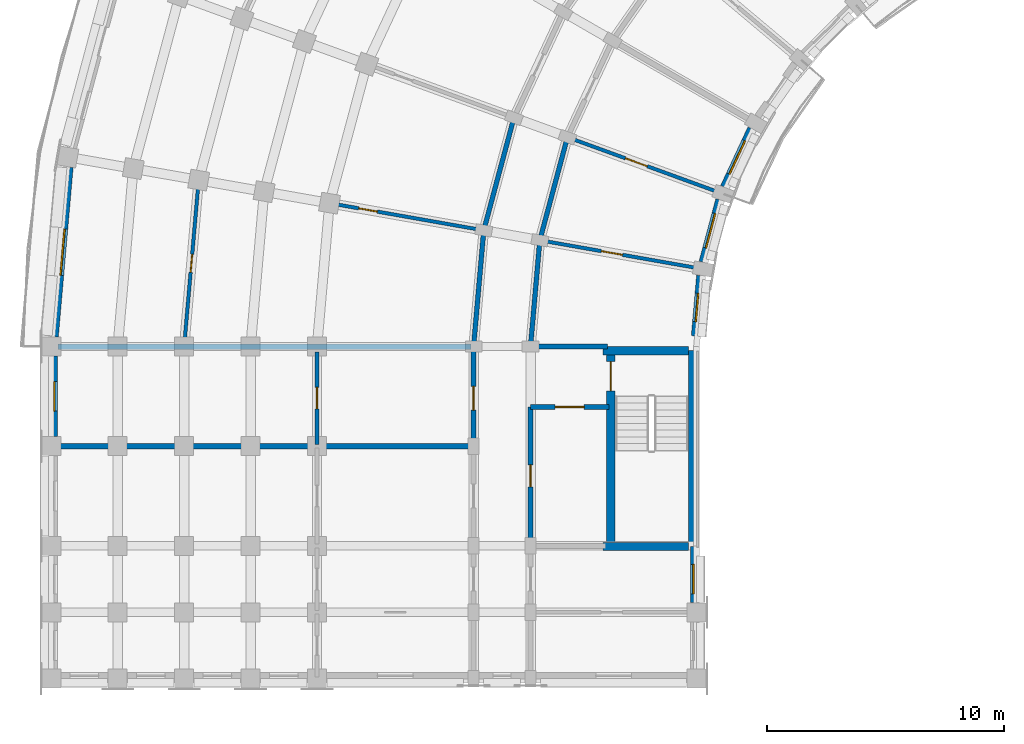
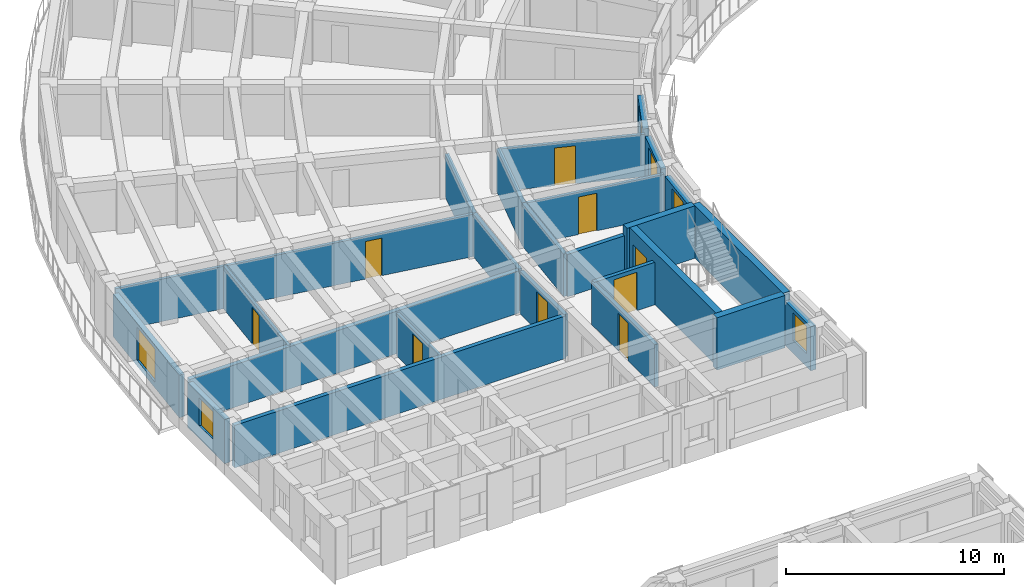
# One storey, part 23 of 54: 25 walls, 9 doors, 6 windows, 15 openings.
"""IFC4 building model written with IfcOpenShell, lengths in metres."""

from ifc_helpers import new_model, si_unit, direction, frame, frame_2d, origin, place, context, subcontext, project, spatial, rectangle, extrude, material, layer, layer_set, type_object, element, fill, save


model = new_model("IFC4")

# Units and contexts
model_context = context("Model", 3, precision=1e-05, world=origin(), true_north=direction((0.0, 1.0)))
body_context = subcontext(model_context, "Body", "Model", "MODEL_VIEW")
ifc_project = project(units=[si_unit("LENGTHUNIT", "METRE"), si_unit("AREAUNIT", "SQUARE_METRE"), si_unit("VOLUMEUNIT", "CUBIC_METRE"), si_unit("PLANEANGLEUNIT", "RADIAN"), si_unit("MASSUNIT", "GRAM", prefix="KILO")], contexts=[model_context])

# Site, building, storey
site_placement = place(None, origin())
site = spatial("IfcSite", under=ifc_project, at=site_placement, CompositionType="ELEMENT")
building_placement = place(site_placement, origin())
building = spatial("IfcBuilding", under=site, at=building_placement, Name="Kiranvali Square Residences", CompositionType="ELEMENT")
storey_placement = place(building_placement, frame((0.0, 0.0, 11.85009765625)))
storey = spatial("IfcBuildingStorey", under=building, at=storey_placement, Name="L03", CompositionType="ELEMENT", Elevation=11.85009765625)

# Wall, opening, door
ifc_material_1 = material(Name="Autoclaved aerated concrete blockwork masonry", Category="masonry")
ifc_layer_1 = layer(ifc_material_1, 0.199951171875)
ifc_layer_set_1 = layer_set([ifc_layer_1], Name="Autoclaved aerated concrete blockwork masonry")
wall_type_1 = type_object("IfcWallType", Name="WL-COR-200", PredefinedType="STANDARD", material=ifc_layer_set_1)
wall_1_placement = place(storey_placement, frame((25.699951171875, 85.25, 0.0), z_axis=(0.0, 0.0, 1.0), x_axis=(-1.0, 0.0, 0.0)))
wall_1 = element("IfcWall", 1, at=wall_1_placement, inside=storey, type_object=wall_type_1, Name="L03 architectural wall WL-L03-A-S3-V", PredefinedType="STANDARD", context=body_context, shape_type="SweptSolid", body=[
    extrude(rectangle(XDim=3.300048828125, YDim=0.199951171875, at=frame_2d((1.64990234375, 0.0))), origin(), (0.0, 0.0, 1.0), 2.371826171875),
])
opening_1_placement = place(wall_1_placement, frame((1.0400390625, 0.0, 0.0)))
opening_1 = element("IfcOpeningElement", 2, at=opening_1_placement, cuts=wall_1, Name="Opening FD-COR-60", PredefinedType="OPENING", context=body_context, shape_type="SweptSolid", body=[
    extrude(rectangle(XDim=1.219970703125, YDim=2.14990234375, at=frame_2d((0.60986328125, 1.074951171875))), frame((0.0, 0.10986328125, 0.0), z_axis=(0.0, -1.0, 0.0), x_axis=(1.0, 0.0, 0.0)), (0.0, 0.0, 1.0), 0.219970703125),
])
ifc_material_2 = material(Name="Fire-rated acoustic hardwood and mineral-core door assembly", Category="wood")
door_type_1 = type_object("IfcDoorType", Name="DR-FD60-1200", OperationType="NOTDEFINED", PredefinedType="DOOR", material=ifc_material_2)
door_1_placement = place(opening_1_placement, origin())
door_1 = element("IfcDoor", 3, at=door_1_placement, inside=storey, type_object=door_type_1, Name="L03 door DR-L03-0223 (DR-FD60-1200)", OperationType="SINGLE_SWING_LEFT", OverallHeight=2.14990234375, OverallWidth=1.219970703125, PredefinedType="DOOR", context=body_context, shape_type="SweptSolid", body=[
    extrude(rectangle(XDim=1.219970703125, YDim=2.14990234375, at=frame_2d((0.60986328125, 1.074951171875))), frame((0.0, 0.02490234375, 0.0), z_axis=(0.0, -1.0, 0.0), x_axis=(1.0, 0.0, 0.0)), (0.0, 0.0, 1.0), 0.050048828125),
])
fill(opening_1, door_1)

wall_2_placement = place(storey_placement, frame((22.39990234375, 85.25, 0.0), z_axis=(0.0, 0.0, 1.0), x_axis=(0.0, -1.0, 0.0)))
wall_2 = element("IfcWall", 4, at=wall_2_placement, inside=storey, type_object=wall_type_1, Name="L03 architectural wall WL-L03-A-S3-COR", PredefinedType="STANDARD", context=body_context, shape_type="SweptSolid", body=[
    extrude(rectangle(XDim=5.800048828125, YDim=0.199951171875, at=frame_2d((2.89990234375, 0.0))), origin(), (0.0, 0.0, 1.0), 2.371826171875),
])
opening_2_placement = place(wall_2_placement, frame((2.43994140625, 0.0, 0.0)))
opening_2 = element("IfcOpeningElement", 5, at=opening_2_placement, cuts=wall_2, Name="Opening FD-SVC-120", PredefinedType="OPENING", context=body_context, shape_type="SweptSolid", body=[
    extrude(rectangle(XDim=0.919921875, YDim=2.10009765625, at=frame_2d((0.4599609375, 1.050048828125))), frame((0.0, 0.10986328125, 0.0), z_axis=(0.0, -1.0, 0.0), x_axis=(1.0, 0.0, 0.0)), (0.0, 0.0, 1.0), 0.219970703125),
])
door_type_2 = type_object("IfcDoorType", Name="DR-SVC-900", OperationType="NOTDEFINED", PredefinedType="DOOR", material=ifc_material_2)
door_2_placement = place(opening_2_placement, frame((0.919921875, 0.0, 0.0), z_axis=(0.0, 0.0, 1.0), x_axis=(-1.0, 0.0, 0.0)))
door_2 = element("IfcDoor", 6, at=door_2_placement, inside=storey, type_object=door_type_2, Name="L03 door DR-L03-0224 (DR-SVC-900)", OperationType="SINGLE_SWING_RIGHT", OverallHeight=2.10009765625, OverallWidth=0.919921875, PredefinedType="DOOR", context=body_context, shape_type="SweptSolid", body=[
    extrude(rectangle(XDim=0.919921875, YDim=2.10009765625, at=frame_2d((0.4599609375, 1.050048828125))), frame((0.0, 0.02490234375, 0.0), z_axis=(0.0, -1.0, 0.0), x_axis=(1.0, 0.0, 0.0)), (0.0, 0.0, 1.0), 0.050048828125),
])
fill(opening_2, door_2)

# Walls
wall_3_placement = place(storey_placement, frame((23.955810546875, 96.6240234375, 0.0), z_axis=(0.0, 0.0, 1.0), x_axis=(-0.258787642463, -0.965934240054, 0.0)))
element("IfcWall", 7, at=wall_3_placement, inside=storey, type_object=wall_type_1, Name="L03 architectural wall WL-L03-A-CCI-7", PredefinedType="STANDARD", context=body_context, shape_type="SweptSolid", body=[
    extrude(rectangle(XDim=4.497314453125, YDim=0.199951171875, at=frame_2d((2.24853515625, 0.0))), origin(), (0.0, 0.0, 1.0), 2.371826171875),
])
wall_4_placement = place(storey_placement, frame((21.70068359375, 97.445068359375, 0.0), z_axis=(0.0, 0.0, 1.0), x_axis=(-0.258803112091, -0.965930095386, 0.0)))
element("IfcWall", 8, at=wall_4_placement, inside=storey, type_object=wall_type_1, Name="L03 architectural wall WL-L03-A-CCO-7", PredefinedType="STANDARD", context=body_context, shape_type="SweptSolid", body=[
    extrude(rectangle(XDim=4.915771484375, YDim=0.199951171875, at=frame_2d((2.4580078125, 0.0))), origin(), (0.0, 0.0, 1.0), 2.371826171875),
])
wall_5_placement = place(storey_placement, frame((22.7919921875, 92.280029296875, 0.0), z_axis=(0.0, 0.0, 1.0), x_axis=(-0.087187153726, -0.996191949488, 0.0)))
element("IfcWall", 9, at=wall_5_placement, inside=storey, type_object=wall_type_1, Name="L03 architectural wall WL-L03-A-CCI-8", PredefinedType="STANDARD", context=body_context, shape_type="SweptSolid", body=[
    extrude(rectangle(XDim=4.4970703125, YDim=0.199951171875, at=frame_2d((2.24853515625, 0.0))), origin(), (0.0, 0.0, 1.0), 2.371826171875),
])
wall_6_placement = place(storey_placement, frame((20.428466796875, 92.69677734375, 0.0), z_axis=(0.0, 0.0, 1.0), x_axis=(-0.087167566415, -0.996193663584, 0.0)))
element("IfcWall", 10, at=wall_6_placement, inside=storey, type_object=wall_type_1, Name="L03 architectural wall WL-L03-A-CCO-8", PredefinedType="STANDARD", context=body_context, shape_type="SweptSolid", body=[
    extrude(rectangle(XDim=4.91552734375, YDim=0.199951171875, at=frame_2d((2.457763671875, 0.0))), origin(), (0.0, 0.0, 1.0), 2.371826171875),
])

# Wall, opening, door
wall_7_placement = place(storey_placement, frame((20.0, 87.64990234375, 0.0), z_axis=(0.0, 0.0, 1.0), x_axis=(0.0, -1.0, 0.0)))
wall_7 = element("IfcWall", 11, at=wall_7_placement, inside=storey, type_object=wall_type_1, Name="L03 architectural wall WL-L03-A-A2CF-C0", PredefinedType="STANDARD", context=body_context, shape_type="SweptSolid", body=[
    extrude(rectangle(XDim=4.0498046875, YDim=0.199951171875, at=frame_2d((2.02490234375, 0.0))), origin(), (0.0, 0.0, 1.0), 2.371826171875),
])
opening_3_placement = place(wall_7_placement, frame((1.52490234375, 0.0, 0.0)))
opening_3 = element("IfcOpeningElement", 12, at=opening_3_placement, cuts=wall_7, Name="Opening FD-APT-60", PredefinedType="OPENING", context=body_context, shape_type="SweptSolid", body=[
    extrude(rectangle(XDim=1.0, YDim=2.14990234375, at=frame_2d((0.5, 1.074951171875))), frame((0.0, 0.10986328125, 0.0), z_axis=(0.0, -1.0, 0.0), x_axis=(1.0, 0.0, 0.0)), (0.0, 0.0, 1.0), 0.219970703125),
])
door_type_3 = type_object("IfcDoorType", Name="DR-APT-1000", OperationType="NOTDEFINED", PredefinedType="DOOR", material=ifc_material_2)
door_3_placement = place(opening_3_placement, origin())
door_3 = element("IfcDoor", 13, at=door_3_placement, inside=storey, type_object=door_type_3, Name="L03 door DR-L03-0265 (DR-APT-1000)", OperationType="SINGLE_SWING_LEFT", OverallHeight=2.14990234375, OverallWidth=1.0, PredefinedType="DOOR", context=body_context, shape_type="SweptSolid", body=[
    extrude(rectangle(XDim=1.0, YDim=2.14990234375, at=frame_2d((0.5, 1.074951171875))), frame((0.0, 0.02490234375, 0.0), z_axis=(0.0, -1.0, 0.0), x_axis=(1.0, 0.0, 0.0)), (0.0, 0.0, 1.0), 0.050048828125),
])
fill(opening_3, door_3)

# Walls
ifc_layer_2 = layer(ifc_material_1, 0.219970703125)
ifc_layer_set_2 = layer_set([ifc_layer_2], Name="Autoclaved aerated concrete blockwork masonry")
wall_type_2 = type_object("IfcWallType", Name="WL-DEM-220", PredefinedType="STANDARD", material=ifc_layer_set_2)
wall_8_placement = place(storey_placement, frame((25.64990234375, 87.800048828125, 0.0), z_axis=(0.0, 0.0, 1.0), x_axis=(-1.0, 0.0, 0.0)))
element("IfcWall", 14, at=wall_8_placement, inside=storey, type_object=wall_type_2, Name="L03 architectural wall WL-L03-A-RADI-9", PredefinedType="STANDARD", context=body_context, shape_type="SweptSolid", body=[
    extrude(rectangle(XDim=3.199951171875, YDim=0.219970703125, at=frame_2d((1.60009765625, 0.0))), origin(), (0.0, 0.0, 1.0), 2.371826171875),
])
wall_9_placement = place(storey_placement, frame((19.949951171875, 83.60009765625, 0.0), z_axis=(0.0, 0.0, 1.0), x_axis=(-1.0, 0.0, 0.0)))
element("IfcWall", 15, at=wall_9_placement, inside=storey, type_object=wall_type_2, Name="L03 architectural wall WL-L03-A-A2CF-MID", PredefinedType="STANDARD", context=body_context, shape_type="SweptSolid", body=[
    extrude(rectangle(XDim=17.530029296875, YDim=0.219970703125, at=frame_2d((8.76513671875, 0.0))), origin(), (0.0, 0.0, 1.0), 2.371826171875),
])
ifc_layer_3 = layer(ifc_material_1, 0.22998046875)
ifc_layer_set_3 = layer_set([ifc_layer_3], Name="Autoclaved aerated concrete blockwork masonry")
wall_type_3 = type_object("IfcWallType", Name="WL-DEM-230", PredefinedType="STANDARD", material=ifc_layer_set_3)
wall_10_placement = place(storey_placement, frame((19.89990234375, 87.800048828125, 0.0), z_axis=(0.0, 0.0, 1.0), x_axis=(-1.0, 0.0, 0.0)))
element("IfcWall", 16, at=wall_10_placement, inside=storey, type_object=wall_type_3, Name="L03 architectural wall WL-L03-A-RADO-9", PredefinedType="STANDARD", context=body_context, shape_type="SweptSolid", body=[
    extrude(rectangle(XDim=17.419921875, YDim=0.22998046875, at=frame_2d((8.7099609375, 0.0))), origin(), (0.0, 0.0, 1.0), 2.371826171875),
])

# Wall, opening, window
ifc_material_3 = material(Name="Breathable lime-rendered clay brick masonry", Category="masonry")
ifc_layer_4 = layer(ifc_material_3, 0.27490234375)
ifc_layer_set_4 = layer_set([ifc_layer_4], Name="Breathable lime-rendered clay brick masonry")
wall_type_4 = type_object("IfcWallType", Name="WL-EXT-275", PredefinedType="STANDARD", material=ifc_layer_set_4)
wall_11_placement = place(storey_placement, frame((2.986083984375, 95.351318359375, 0.0), z_axis=(0.0, 0.0, 1.0), x_axis=(-0.08713989423, -0.99619608453, 0.0)))
wall_11 = element("IfcWall", 17, at=wall_11_placement, inside=storey, type_object=wall_type_4, Name="L03 exterior wall A-L03-CRV-08", PredefinedType="STANDARD", context=body_context, shape_type="SweptSolid", body=[
    extrude(rectangle(XDim=7.1640625, YDim=0.27490234375, at=frame_2d((3.58203125, 0.0))), origin(), (0.0, 0.0, 1.0), 2.371826171875),
])
opening_4_placement = place(wall_11_placement, frame((2.60693359375, 0.0, 0.322021484375)))
opening_4 = element("IfcOpeningElement", 18, at=opening_4_placement, cuts=wall_11, Name="Opening W-12", PredefinedType="OPENING", context=body_context, shape_type="SweptSolid", body=[
    extrude(rectangle(XDim=1.949951171875, YDim=1.85009765625, at=frame_2d((0.97509765625, 0.925048828125))), frame((0.0, 0.1474609375, 0.0), z_axis=(0.0, -1.0, 0.0), x_axis=(1.0, 0.0, 0.0)), (0.0, 0.0, 1.0), 0.294921875),
])
ifc_material_4 = material(Name="Solar-control low-e double glazing", Category="glass")
window_type_1 = type_object("IfcWindowType", Name="WIN-RES-1950x1850", PartitioningType="DOUBLE_PANEL_VERTICAL", PredefinedType="WINDOW", material=ifc_material_4)
window_1_placement = place(opening_4_placement, origin())
window_1 = element("IfcWindow", 19, at=window_1_placement, inside=storey, type_object=window_type_1, Name="L03 recessed window A-L03-CRV-08", OverallHeight=1.85009765625, OverallWidth=1.949951171875, PartitioningType="DOUBLE_PANEL_VERTICAL", PredefinedType="WINDOW", context=body_context, shape_type="SweptSolid", body=[
    extrude(rectangle(XDim=1.949951171875, YDim=1.85009765625, at=frame_2d((0.97509765625, 0.925048828125))), frame((0.0, 0.030029296875, 0.0), z_axis=(0.0, -1.0, 0.0), x_axis=(1.0, 0.0, 0.0)), (0.0, 0.0, 1.0), 0.06005859375),
])
fill(opening_4, window_1)

wall_12_placement = place(storey_placement, frame((31.687255859375, 96.999267578125, 0.0), z_axis=(0.0, 0.0, 1.0), x_axis=(-0.422610022166, -0.906311629168, 0.0)))
wall_12 = element("IfcWall", 20, at=wall_12_placement, inside=storey, type_object=wall_type_4, Name="L03 exterior wall A-L03-GDN-06", PredefinedType="STANDARD", context=body_context, shape_type="SweptSolid", body=[
    extrude(rectangle(XDim=2.717529296875, YDim=0.27490234375, at=frame_2d((1.35888671875, 0.0))), origin(), (0.0, 0.0, 1.0), 2.421875),
])
opening_5_placement = place(wall_12_placement, frame((0.583740234375, 0.0, 0.6220703125)))
opening_5 = element("IfcOpeningElement", 21, at=opening_5_placement, cuts=wall_12, Name="Opening W-18", PredefinedType="OPENING", context=body_context, shape_type="SweptSolid", body=[
    extrude(rectangle(XDim=1.550048828125, YDim=1.60009765625, at=frame_2d((0.77490234375, 0.800048828125))), frame((0.0, 0.1474609375, 0.0), z_axis=(0.0, -1.0, 0.0), x_axis=(1.0, 0.0, 0.0)), (0.0, 0.0, 1.0), 0.294921875),
])
window_type_2 = type_object("IfcWindowType", Name="WIN-GDN-1550x1600", PartitioningType="DOUBLE_PANEL_VERTICAL", PredefinedType="WINDOW", material=ifc_material_4)
window_2_placement = place(opening_5_placement, origin())
window_2 = element("IfcWindow", 22, at=window_2_placement, inside=storey, type_object=window_type_2, Name="L03 recessed window A-L03-GDN-06", OverallHeight=1.60009765625, OverallWidth=1.550048828125, PartitioningType="DOUBLE_PANEL_VERTICAL", PredefinedType="WINDOW", context=body_context, shape_type="SweptSolid", body=[
    extrude(rectangle(XDim=1.550048828125, YDim=1.60009765625, at=frame_2d((0.77490234375, 0.800048828125))), frame((0.0, 0.030029296875, 0.0), z_axis=(0.0, -1.0, 0.0), x_axis=(1.0, 0.0, 0.0)), (0.0, 0.0, 1.0), 0.06005859375),
])
fill(opening_5, window_2)

wall_13_placement = place(storey_placement, frame((30.340576171875, 93.9921875, 0.0), z_axis=(0.0, 0.0, 1.0), x_axis=(-0.258819907011, -0.965925595341, 0.0)))
wall_13 = element("IfcWall", 23, at=wall_13_placement, inside=storey, type_object=wall_type_4, Name="L03 exterior wall A-L03-GDN-07", PredefinedType="STANDARD", context=body_context, shape_type="SweptSolid", body=[
    extrude(rectangle(XDim=2.717529296875, YDim=0.27490234375, at=frame_2d((1.35888671875, 0.0))), origin(), (0.0, 0.0, 1.0), 2.421875),
])
opening_6_placement = place(wall_13_placement, frame((0.608642578125, 0.0, 0.572021484375)))
opening_6 = element("IfcOpeningElement", 24, at=opening_6_placement, cuts=wall_13, Name="Opening W-05", PredefinedType="OPENING", context=body_context, shape_type="SweptSolid", body=[
    extrude(rectangle(XDim=1.5, YDim=1.64990234375, at=frame_2d((0.75, 0.824951171875))), frame((0.0, 0.1474609375, 0.0), z_axis=(0.0, -1.0, 0.0), x_axis=(1.0, 0.0, 0.0)), (0.0, 0.0, 1.0), 0.294921875),
])
window_type_3 = type_object("IfcWindowType", Name="WIN-RES-1500x1650", PartitioningType="DOUBLE_PANEL_VERTICAL", PredefinedType="WINDOW", material=ifc_material_4)
window_3_placement = place(opening_6_placement, origin())
window_3 = element("IfcWindow", 25, at=window_3_placement, inside=storey, type_object=window_type_3, Name="L03 recessed window A-L03-GDN-07", OverallHeight=1.64990234375, OverallWidth=1.5, PartitioningType="DOUBLE_PANEL_VERTICAL", PredefinedType="WINDOW", context=body_context, shape_type="SweptSolid", body=[
    extrude(rectangle(XDim=1.5, YDim=1.64990234375, at=frame_2d((0.75, 0.824951171875))), frame((0.0, 0.030029296875, 0.0), z_axis=(0.0, -1.0, 0.0), x_axis=(1.0, 0.0, 0.0)), (0.0, 0.0, 1.0), 0.06005859375),
])
fill(opening_6, window_3)

wall_14_placement = place(storey_placement, frame((29.53662109375, 90.796875, 0.0), z_axis=(0.0, 0.0, 1.0), x_axis=(-0.08716102895, -0.996194235595, 0.0)))
wall_14 = element("IfcWall", 26, at=wall_14_placement, inside=storey, type_object=wall_type_4, Name="L03 exterior wall A-L03-GDN-08", PredefinedType="STANDARD", context=body_context, shape_type="SweptSolid", body=[
    extrude(rectangle(XDim=2.557373046875, YDim=0.27490234375, at=frame_2d((1.27880859375, 0.0))), origin(), (0.0, 0.0, 1.0), 2.421875),
])
opening_7_placement = place(wall_14_placement, frame((0.7587890625, 0.0, 0.721923828125)))
opening_7 = element("IfcOpeningElement", 27, at=opening_7_placement, cuts=wall_14, Name="Opening W-06", PredefinedType="OPENING", context=body_context, shape_type="SweptSolid", body=[
    extrude(rectangle(XDim=1.199951171875, YDim=1.5, at=frame_2d((0.60009765625, 0.75))), frame((0.0, 0.1474609375, 0.0), z_axis=(0.0, -1.0, 0.0), x_axis=(1.0, 0.0, 0.0)), (0.0, 0.0, 1.0), 0.294921875),
])
window_type_4 = type_object("IfcWindowType", Name="WIN-RES-1200x1500", PartitioningType="SINGLE_PANEL", PredefinedType="WINDOW", material=ifc_material_4)
window_4_placement = place(opening_7_placement, origin())
window_4 = element("IfcWindow", 28, at=window_4_placement, inside=storey, type_object=window_type_4, Name="L03 recessed window A-L03-GDN-08", OverallHeight=1.5, OverallWidth=1.199951171875, PartitioningType="SINGLE_PANEL", PredefinedType="WINDOW", context=body_context, shape_type="SweptSolid", body=[
    extrude(rectangle(XDim=1.199951171875, YDim=1.5, at=frame_2d((0.60009765625, 0.75))), frame((0.0, 0.030029296875, 0.0), z_axis=(0.0, -1.0, 0.0), x_axis=(1.0, 0.0, 0.0)), (0.0, 0.0, 1.0), 0.06005859375),
])
fill(opening_7, window_4)

wall_15_placement = place(storey_placement, frame((2.324951171875, 87.396484375, 0.0), z_axis=(0.0, 0.0, 1.0), x_axis=(0.0, -1.0, 0.0)))
wall_15 = element("IfcWall", 29, at=wall_15_placement, inside=storey, type_object=wall_type_4, Name="L03 exterior wall A-L03-A2O-0", PredefinedType="STANDARD", context=body_context, shape_type="SweptSolid", body=[
    extrude(rectangle(XDim=3.39306640625, YDim=0.27490234375, at=frame_2d((1.696533203125, 0.0))), origin(), (0.0, 0.0, 1.0), 2.471923828125),
])
opening_8_placement = place(wall_15_placement, frame((1.071533203125, 0.0, 0.721923828125)))
opening_8 = element("IfcOpeningElement", 30, at=opening_8_placement, cuts=wall_15, Name="Opening W-19", PredefinedType="OPENING", context=body_context, shape_type="SweptSolid", body=[
    extrude(rectangle(XDim=1.25, YDim=1.550048828125, at=frame_2d((0.625, 0.77490234375))), frame((0.0, 0.1474609375, 0.0), z_axis=(0.0, -1.0, 0.0), x_axis=(1.0, 0.0, 0.0)), (0.0, 0.0, 1.0), 0.294921875),
])
window_type_5 = type_object("IfcWindowType", Name="WIN-GDN-1250x1550", PartitioningType="SINGLE_PANEL", PredefinedType="WINDOW", material=ifc_material_4)
window_5_placement = place(opening_8_placement, origin())
window_5 = element("IfcWindow", 31, at=window_5_placement, inside=storey, type_object=window_type_5, Name="L03 recessed window A-L03-A2O-0", OverallHeight=1.550048828125, OverallWidth=1.25, PartitioningType="SINGLE_PANEL", PredefinedType="WINDOW", context=body_context, shape_type="SweptSolid", body=[
    extrude(rectangle(XDim=1.25, YDim=1.550048828125, at=frame_2d((0.625, 0.77490234375))), frame((0.0, 0.030029296875, 0.0), z_axis=(0.0, -1.0, 0.0), x_axis=(1.0, 0.0, 0.0)), (0.0, 0.0, 1.0), 0.06005859375),
])
fill(opening_8, window_5)

wall_16_placement = place(storey_placement, frame((29.27490234375, 79.37158203125, 0.0), z_axis=(0.0, 0.0, 1.0), x_axis=(0.0, -1.0, 0.0)))
wall_16 = element("IfcWall", 32, at=wall_16_placement, inside=storey, type_object=wall_type_4, Name="L03 exterior wall A-L03-A2I-0", PredefinedType="STANDARD", context=body_context, shape_type="SweptSolid", body=[
    extrude(rectangle(XDim=2.3681640625, YDim=0.27490234375, at=frame_2d((1.18408203125, 0.0))), origin(), (0.0, 0.0, 1.0), 2.471923828125),
])
opening_9_placement = place(wall_16_placement, frame((0.74658203125, 0.0, 0.721923828125)))
opening_9 = element("IfcOpeningElement", 33, at=opening_9_placement, cuts=wall_16, Name="Opening W-19", PredefinedType="OPENING", context=body_context, shape_type="SweptSolid", body=[
    extrude(rectangle(XDim=1.25, YDim=1.550048828125, at=frame_2d((0.625, 0.77490234375))), frame((0.0, 0.1474609375, 0.0), z_axis=(0.0, -1.0, 0.0), x_axis=(1.0, 0.0, 0.0)), (0.0, 0.0, 1.0), 0.294921875),
])
window_6_placement = place(opening_9_placement, origin())
window_6 = element("IfcWindow", 34, at=window_6_placement, inside=storey, type_object=window_type_5, Name="L03 recessed window A-L03-A2I-0", OverallHeight=1.550048828125, OverallWidth=1.25, PartitioningType="SINGLE_PANEL", PredefinedType="WINDOW", context=body_context, shape_type="SweptSolid", body=[
    extrude(rectangle(XDim=1.25, YDim=1.550048828125, at=frame_2d((0.625, 0.77490234375))), frame((0.0, 0.030029296875, 0.0), z_axis=(0.0, -1.0, 0.0), x_axis=(1.0, 0.0, 0.0)), (0.0, 0.0, 1.0), 0.06005859375),
])
fill(opening_9, window_6)

# Wall, opening, door
ifc_material_5 = material(Name="Acoustic gypsum board drylined partition", Category="gypsum")
ifc_layer_5 = layer(ifc_material_5, 0.14990234375)
ifc_layer_set_5 = layer_set([ifc_layer_5], Name="Acoustic gypsum board drylined partition")
wall_type_5 = type_object("IfcWallType", Name="WL-PRT-150", PredefinedType="PARTITIONING", material=ifc_layer_set_5)
wall_17_placement = place(storey_placement, frame((30.345947265625, 94.29833984375, 0.0), z_axis=(0.0, 0.0, 1.0), x_axis=(-0.939696231917, 0.342010221662, 0.0)))
wall_17 = element("IfcWall", 35, at=wall_17_placement, inside=storey, type_object=wall_type_5, Name="L03 architectural wall WL-L03-A-RADI-7", PredefinedType="PARTITIONING", context=body_context, shape_type="SweptSolid", body=[
    extrude(rectangle(XDim=6.75, YDim=0.14990234375, at=frame_2d((3.375, 0.0))), origin(), (0.0, 0.0, 1.0), 2.371826171875),
])
opening_10_placement = place(wall_17_placement, frame((3.222412109375, 0.0, 0.0)))
opening_10 = element("IfcOpeningElement", 36, at=opening_10_placement, cuts=wall_17, Name="Opening ID-3", PredefinedType="OPENING", context=body_context, shape_type="SweptSolid", body=[
    extrude(rectangle(XDim=0.97998046875, YDim=2.1201171875, at=frame_2d((0.489990234375, 1.06005859375))), frame((0.0, 0.0849609375, 0.0), z_axis=(0.0, -1.0, 0.0), x_axis=(1.0, 0.0, 0.0)), (0.0, 0.0, 1.0), 0.169921875),
])
ifc_material_6 = material(Name="Solid seasoned teak hardwood joinery", Category="wood")
door_type_4 = type_object("IfcDoorType", Name="DR-INT-980", OperationType="NOTDEFINED", PredefinedType="DOOR", material=ifc_material_6)
door_4_placement = place(opening_10_placement, origin())
door_4 = element("IfcDoor", 37, at=door_4_placement, inside=storey, type_object=door_type_4, Name="L03 door DR-L03-0249 (DR-INT-980)", OperationType="SINGLE_SWING_LEFT", OverallHeight=2.1201171875, OverallWidth=0.97998046875, PredefinedType="DOOR", context=body_context, shape_type="SweptSolid", body=[
    extrude(rectangle(XDim=0.97998046875, YDim=2.1201171875, at=frame_2d((0.489990234375, 1.06005859375))), frame((0.0, 0.02490234375, 0.0), z_axis=(0.0, -1.0, 0.0), x_axis=(1.0, 0.0, 0.0)), (0.0, 0.0, 1.0), 0.050048828125),
])
fill(opening_10, door_4)

wall_18_placement = place(storey_placement, frame((29.48876953125, 91.099365234375, 0.0), z_axis=(0.0, 0.0, 1.0), x_axis=(-0.984807944945, 0.173647089161, 0.0)))
wall_18 = element("IfcWall", 38, at=wall_18_placement, inside=storey, type_object=wall_type_5, Name="L03 architectural wall WL-L03-A-RADI-8", PredefinedType="PARTITIONING", context=body_context, shape_type="SweptSolid", body=[
    extrude(rectangle(XDim=6.75, YDim=0.14990234375, at=frame_2d((3.375, 0.0))), origin(), (0.0, 0.0, 1.0), 2.371826171875),
])
opening_11_placement = place(wall_18_placement, frame((3.262451171875, 0.0, 0.0)))
opening_11 = element("IfcOpeningElement", 39, at=opening_11_placement, cuts=wall_18, Name="Opening ID-1", PredefinedType="OPENING", context=body_context, shape_type="SweptSolid", body=[
    extrude(rectangle(XDim=0.89990234375, YDim=2.10009765625, at=frame_2d((0.449951171875, 1.050048828125))), frame((0.0, 0.0849609375, 0.0), z_axis=(0.0, -1.0, 0.0), x_axis=(1.0, 0.0, 0.0)), (0.0, 0.0, 1.0), 0.169921875),
])
door_type_5 = type_object("IfcDoorType", Name="DR-INT-900", OperationType="NOTDEFINED", PredefinedType="DOOR", material=ifc_material_6)
door_5_placement = place(opening_11_placement, origin())
door_5 = element("IfcDoor", 40, at=door_5_placement, inside=storey, type_object=door_type_5, Name="L03 door DR-L03-0251 (DR-INT-900)", OperationType="SINGLE_SWING_LEFT", OverallHeight=2.10009765625, OverallWidth=0.89990234375, PredefinedType="DOOR", context=body_context, shape_type="SweptSolid", body=[
    extrude(rectangle(XDim=0.89990234375, YDim=2.10009765625, at=frame_2d((0.449951171875, 1.050048828125))), frame((0.0, 0.02490234375, 0.0), z_axis=(0.0, -1.0, 0.0), x_axis=(1.0, 0.0, 0.0)), (0.0, 0.0, 1.0), 0.050048828125),
])
fill(opening_11, door_5)

wall_19_placement = place(storey_placement, frame((20.329833984375, 92.71435546875, 0.0), z_axis=(0.0, 0.0, 1.0), x_axis=(-0.984808098809, 0.173646216546, 0.0)))
wall_19 = element("IfcWall", 41, at=wall_19_placement, inside=storey, type_object=wall_type_5, Name="L03 architectural wall WL-L03-A-RADO-8", PredefinedType="PARTITIONING", context=body_context, shape_type="SweptSolid", body=[
    extrude(rectangle(XDim=17.419921875, YDim=0.14990234375, at=frame_2d((8.7099609375, 0.0))), origin(), (0.0, 0.0, 1.0), 2.371826171875),
])
opening_12_placement = place(wall_19_placement, frame((4.44970703125, 0.0, 0.0)))
opening_12 = element("IfcOpeningElement", 42, at=opening_12_placement, cuts=wall_19, Name="Opening ID-WET", PredefinedType="OPENING", context=body_context, shape_type="SweptSolid", body=[
    extrude(rectangle(XDim=0.800048828125, YDim=2.10009765625, at=frame_2d((0.39990234375, 1.050048828125))), frame((0.0, 0.0849609375, 0.0), z_axis=(0.0, -1.0, 0.0), x_axis=(1.0, 0.0, 0.0)), (0.0, 0.0, 1.0), 0.169921875),
])
door_type_6 = type_object("IfcDoorType", Name="DR-WET-800", OperationType="NOTDEFINED", PredefinedType="DOOR", material=ifc_material_6)
door_6_placement = place(opening_12_placement, frame((0.800048828125, 0.0, 0.0), z_axis=(0.0, 0.0, 1.0), x_axis=(-1.0, 0.0, 0.0)))
door_6 = element("IfcDoor", 43, at=door_6_placement, inside=storey, type_object=door_type_6, Name="L03 door DR-L03-0252 (DR-WET-800)", OperationType="SINGLE_SWING_RIGHT", OverallHeight=2.10009765625, OverallWidth=0.800048828125, PredefinedType="DOOR", context=body_context, shape_type="SweptSolid", body=[
    extrude(rectangle(XDim=0.800048828125, YDim=2.10009765625, at=frame_2d((0.39990234375, 1.050048828125))), frame((0.0, 0.02490234375, 0.0), z_axis=(0.0, -1.0, 0.0), x_axis=(1.0, 0.0, 0.0)), (0.0, 0.0, 1.0), 0.050048828125),
])
fill(opening_12, door_6)

wall_20_placement = place(storey_placement, frame((13.39990234375, 87.570068359375, 0.0), z_axis=(0.0, 0.0, 1.0), x_axis=(0.0, -1.0, 0.0)))
wall_20 = element("IfcWall", 44, at=wall_20_placement, inside=storey, type_object=wall_type_5, Name="L03 architectural wall WL-L03-A-A2CF-SP0", PredefinedType="PARTITIONING", context=body_context, shape_type="SweptSolid", body=[
    extrude(rectangle(XDim=3.89013671875, YDim=0.14990234375, at=frame_2d((1.945068359375, 0.0))), origin(), (0.0, 0.0, 1.0), 2.371826171875),
])
opening_13_placement = place(wall_20_placement, frame((1.4951171875, 0.0, 0.0)))
opening_13 = element("IfcOpeningElement", 45, at=opening_13_placement, cuts=wall_20, Name="Opening ID-1", PredefinedType="OPENING", context=body_context, shape_type="SweptSolid", body=[
    extrude(rectangle(XDim=0.89990234375, YDim=2.10009765625, at=frame_2d((0.449951171875, 1.050048828125))), frame((0.0, 0.0849609375, 0.0), z_axis=(0.0, -1.0, 0.0), x_axis=(1.0, 0.0, 0.0)), (0.0, 0.0, 1.0), 0.169921875),
])
door_7_placement = place(opening_13_placement, frame((0.89990234375, 0.0, 0.0), z_axis=(0.0, 0.0, 1.0), x_axis=(-1.0, 0.0, 0.0)))
door_7 = element("IfcDoor", 46, at=door_7_placement, inside=storey, type_object=door_type_5, Name="L03 door DR-L03-0266 (DR-INT-900)", OperationType="SINGLE_SWING_RIGHT", OverallHeight=2.10009765625, OverallWidth=0.89990234375, PredefinedType="DOOR", context=body_context, shape_type="SweptSolid", body=[
    extrude(rectangle(XDim=0.89990234375, YDim=2.10009765625, at=frame_2d((0.449951171875, 1.050048828125))), frame((0.0, 0.02490234375, 0.0), z_axis=(0.0, -1.0, 0.0), x_axis=(1.0, 0.0, 0.0)), (0.0, 0.0, 1.0), 0.050048828125),
])
fill(opening_13, door_7)

# Wall
ifc_material_7 = material(Name="Concrete M50 (50 MPa)", Category="concrete")
ifc_layer_6 = layer(ifc_material_7, 0.35009765625)
ifc_layer_set_6 = layer_set([ifc_layer_6], Name="Concrete M50 (50 MPa)")
wall_type_6 = type_object("IfcWallType", Name="WL-SHR-350", PredefinedType="SHEAR", material=ifc_layer_set_6)
wall_21_placement = place(storey_placement, frame((29.22509765625, 87.625, 0.0), z_axis=(0.0, 0.0, 1.0), x_axis=(0.0, -1.0, 0.0)))
element("IfcWall", 47, at=wall_21_placement, inside=storey, type_object=wall_type_6, Name="Block A core shear wall SW-A3-OUT-L03", PredefinedType="SHEAR", context=body_context, shape_type="SweptSolid", body=[
    extrude(rectangle(XDim=8.25, YDim=0.35009765625, at=frame_2d((4.125, 0.0))), origin(), (0.0, 0.0, 1.0), 2.929931640625),
])

# Wall, opening, door
wall_22_placement = place(storey_placement, frame((25.77490234375, 87.449951171875, 0.0), z_axis=(0.0, 0.0, 1.0), x_axis=(0.0, -1.0, 0.0)))
wall_22 = element("IfcWall", 48, at=wall_22_placement, inside=storey, type_object=wall_type_6, Name="Block A core shear wall SW-A3-IN-L03", PredefinedType="SHEAR", context=body_context, shape_type="SweptSolid", body=[
    extrude(rectangle(XDim=7.89990234375, YDim=0.35009765625, at=frame_2d((3.949951171875, 0.0))), origin(), (0.0, 0.0, 1.0), 2.929931640625),
])
opening_14_placement = place(wall_22_placement, frame((0.280029296875, 0.0, 0.0)))
opening_14 = element("IfcOpeningElement", 49, at=opening_14_placement, cuts=wall_22, Name="Opening FD-ST-120", PredefinedType="OPENING", context=body_context, shape_type="SweptSolid", body=[
    extrude(rectangle(XDim=1.239990234375, YDim=2.14990234375, at=frame_2d((0.6201171875, 1.074951171875))), frame((0.0, 0.18505859375, 0.0), z_axis=(0.0, -1.0, 0.0), x_axis=(1.0, 0.0, 0.0)), (0.0, 0.0, 1.0), 0.3701171875),
])
door_type_7 = type_object("IfcDoorType", Name="DR-FD120-1200", OperationType="NOTDEFINED", PredefinedType="DOOR", material=ifc_material_2)
door_8_placement = place(opening_14_placement, origin())
door_8 = element("IfcDoor", 50, at=door_8_placement, inside=storey, type_object=door_type_7, Name="L03 door DR-L03-0219 (DR-FD120-1200)", OperationType="SINGLE_SWING_LEFT", OverallHeight=2.14990234375, OverallWidth=1.239990234375, PredefinedType="DOOR", context=body_context, shape_type="SweptSolid", body=[
    extrude(rectangle(XDim=1.239990234375, YDim=2.14990234375, at=frame_2d((0.6201171875, 1.074951171875))), frame((0.0, 0.02490234375, 0.0), z_axis=(0.0, -1.0, 0.0), x_axis=(1.0, 0.0, 0.0)), (0.0, 0.0, 1.0), 0.050048828125),
])
fill(opening_14, door_8)

# Walls
for number, where, z_axis, x_axis, name in (
    (51, (29.050048828125, 87.625, 0.0), (0.0, 0.0, 1.0), (-1.0, 0.0, 0.0), "Block A core shear wall SW-A3-NEAR-L03"),
    (52, (29.050048828125, 79.375, 0.0), (0.0, 0.0, 1.0), (-1.0, 0.0, 0.0), "Block A core shear wall SW-A3-FAR-L03"),
):
    element("IfcWall", number, at=place(storey_placement, frame(where, z_axis=z_axis, x_axis=x_axis)), inside=storey, type_object=wall_type_6, Name=name, PredefinedType="SHEAR", context=body_context, shape_type="SweptSolid", body=[
        extrude(rectangle(XDim=3.60009765625, YDim=0.35009765625, at=frame_2d((1.800048828125, 0.0))), origin(), (0.0, 0.0, 1.0), 2.929931640625),
    ])

# Wall, opening, door
ifc_layer_7 = layer(ifc_material_1, 0.14990234375)
ifc_layer_set_7 = layer_set([ifc_layer_7], Name="Autoclaved aerated concrete blockwork masonry")
wall_type_7 = type_object("IfcWallType", Name="WL-WET-150", PredefinedType="PLUMBINGWALL", material=ifc_layer_set_7)
wall_23_placement = place(storey_placement, frame((8.413818359375, 94.8154296875, 0.0), z_axis=(0.0, 0.0, 1.0), x_axis=(-0.087156198737, -0.996194658198, 0.0)))
wall_23 = element("IfcWall", 53, at=wall_23_placement, inside=storey, type_object=wall_type_7, Name="L03 architectural wall WL-L03-A-CWET-8", PredefinedType="PLUMBINGWALL", context=body_context, shape_type="SweptSolid", body=[
    extrude(rectangle(XDim=7.042236328125, YDim=0.14990234375, at=frame_2d((3.52099609375, 0.0))), origin(), (0.0, 0.0, 1.0), 2.371826171875),
])
opening_15_placement = place(wall_23_placement, frame((3.14111328125, 0.0, 0.0)))
opening_15 = element("IfcOpeningElement", 54, at=opening_15_placement, cuts=wall_23, Name="Opening ID-WET0", PredefinedType="OPENING", context=body_context, shape_type="SweptSolid", body=[
    extrude(rectangle(XDim=0.760009765625, YDim=2.050048828125, at=frame_2d((0.3798828125, 1.02490234375))), frame((0.0, 0.0849609375, 0.0), z_axis=(0.0, -1.0, 0.0), x_axis=(1.0, 0.0, 0.0)), (0.0, 0.0, 1.0), 0.169921875),
])
door_type_8 = type_object("IfcDoorType", Name="DR-WET-760", OperationType="NOTDEFINED", PredefinedType="DOOR", material=ifc_material_6)
door_9_placement = place(opening_15_placement, origin())
door_9 = element("IfcDoor", 55, at=door_9_placement, inside=storey, type_object=door_type_8, Name="L03 door DR-L03-0261 (DR-WET-760)", OperationType="SINGLE_SWING_LEFT", OverallHeight=2.050048828125, OverallWidth=0.760009765625, PredefinedType="DOOR", context=body_context, shape_type="SweptSolid", body=[
    extrude(rectangle(XDim=0.760009765625, YDim=2.050048828125, at=frame_2d((0.3798828125, 1.02490234375))), frame((0.0, 0.02490234375, 0.0), z_axis=(0.0, -1.0, 0.0), x_axis=(1.0, 0.0, 0.0)), (0.0, 0.0, 1.0), 0.050048828125),
])
fill(opening_15, door_9)

save(model, "model.ifc")
